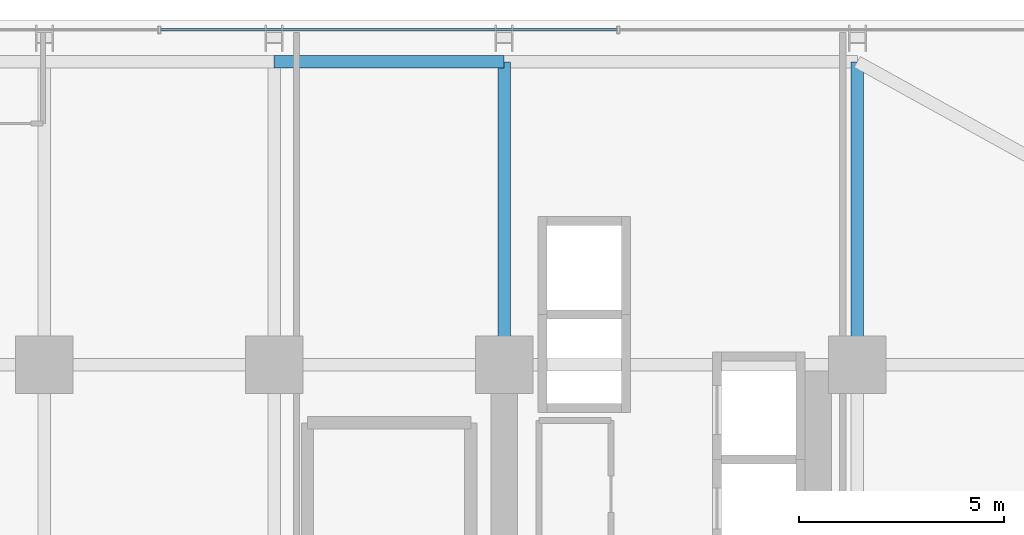
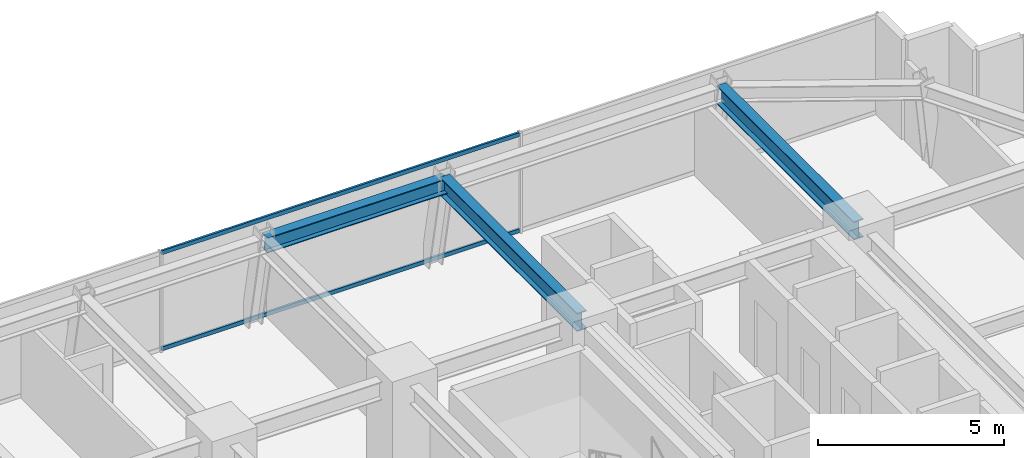
# One storey, part 25 of 35: 3 beams, 2 members, 1 element without a shape of its own.
"""IFC4 building model written with IfcOpenShell, lengths in metres."""

import ifcopenshell
import ifcopenshell.guid

model = None  # the IFC model being written
_history = None  # IfcOwnerHistory: only IFC2X3 demands one
_inside = {}  # id of a spatial element -> (the spatial element, [elements in it])
_under = {}  # id of a project, library or spatial element -> (it, [spatial elements below it])
_declared = {}  # id of a project -> (the project, [libraries it declares])
_typed = {}  # id of a type object -> (the type object, [elements of that type])
_made_of = {}  # id of a material, layer set ... -> (it, [elements and type objects made of it])


def new_model(schema):
    """Start an empty IFC model of exactly this schema.

    Asked for "IFC4X3", IfcOpenShell would pick the latest addendum, in which some entities
    have other attributes; the version numbers below select the first issue.
    IFC2X3 requires an IfcOwnerHistory on every rooted entity: one is made here for all.
    """
    global model, _history
    if schema == "IFC4X3":
        model = ifcopenshell.file(schema_version=(4, 3, 0, 0))
    else:
        model = ifcopenshell.file(schema=schema)
    _inside.clear()
    _under.clear()
    _declared.clear()
    _typed.clear()
    _made_of.clear()
    _history = None
    if model.schema == "IFC2X3":
        org = make("IfcOrganization", Name="unknown")
        user = make(
            "IfcPersonAndOrganization",
            ThePerson=make("IfcPerson", FamilyName="unknown"),
            TheOrganization=org,
        )
        app = make(
            "IfcApplication",
            ApplicationDeveloper=org,
            Version="unknown",
            ApplicationFullName="unknown",
            ApplicationIdentifier="unknown",
        )
        _history = make(
            "IfcOwnerHistory",
            OwningUser=user,
            OwningApplication=app,
            ChangeAction="ADDED",
            CreationDate=0,
        )
    return model


def make(cls, **values):
    """One entity of the class cls with the attributes given. An attribute that is None is left unset."""
    return model.create_entity(
        cls, **{name: value for name, value in values.items() if value is not None}
    )


def rooted(cls, **values):
    """An entity with a GlobalId (a new one), such as an element, a storey or a relation."""
    return make(cls, GlobalId=ifcopenshell.guid.new(), OwnerHistory=_history, **values)


def si_unit(unit_type, name, prefix=None):
    """IfcSIUnit, for example si_unit("LENGTHUNIT", "METRE", prefix="MILLI")."""
    return make("IfcSIUnit", UnitType=unit_type, Prefix=prefix, Name=name)


def assignment(units):
    """IfcUnitAssignment: the units of a project."""
    return None if units is None else make("IfcUnitAssignment", Units=units)


def point(xyz):
    """IfcCartesianPoint."""
    return None if xyz is None else make("IfcCartesianPoint", Coordinates=xyz)


def direction(xyz):
    """IfcDirection."""
    return None if xyz is None else make("IfcDirection", DirectionRatios=xyz)


def frame(location, z_axis=None, x_axis=None):
    """IfcAxis2Placement3D, a coordinate frame: its origin and axes. An axis left out is left unset."""
    return make(
        "IfcAxis2Placement3D",
        Location=point(location),
        Axis=direction(z_axis),
        RefDirection=direction(x_axis),
    )


def frame_2d(location, x_axis=None):
    """IfcAxis2Placement2D, a coordinate frame in the plane: its origin and x axis."""
    return make(
        "IfcAxis2Placement2D", Location=point(location), RefDirection=direction(x_axis)
    )


def origin():
    """The frame at (0, 0, 0) with its axes left unset."""
    return frame((0.0, 0.0, 0.0))


def origin_2d():
    """The frame at (0, 0) in the plane with its x axis left unset."""
    return frame_2d((0.0, 0.0))


def place(relative_to, where):
    """IfcLocalPlacement: puts the frame where relative to a parent placement (None: the world)."""
    return make(
        "IfcLocalPlacement", PlacementRelTo=relative_to, RelativePlacement=where
    )


def context(
    kind, dimensions, precision=None, world=None, true_north=None, identifier=None
):
    """IfcGeometricRepresentationContext, for example the 3D "Model" context."""
    return make(
        "IfcGeometricRepresentationContext",
        ContextIdentifier=identifier,
        ContextType=kind,
        CoordinateSpaceDimension=dimensions,
        Precision=precision,
        WorldCoordinateSystem=world,
        TrueNorth=true_north,
    )


def subcontext(parent, identifier, kind, view, scale=None):
    """IfcGeometricRepresentationSubContext, for example "Body" below "Model"."""
    return make(
        "IfcGeometricRepresentationSubContext",
        ContextIdentifier=identifier,
        ContextType=kind,
        ParentContext=parent,
        TargetScale=scale,
        TargetView=view,
    )


def project(units=None, contexts=None):
    """IfcProject with its units and contexts."""
    return rooted(
        "IfcProject",
        Name="project",
        RepresentationContexts=contexts,
        UnitsInContext=assignment(units),
    )


def spatial(cls, under=None, at=None, **own):
    """A site, building, storey or space (cls), placed at a placement, below another one or the project."""
    s = rooted(cls, ObjectPlacement=at, **own)
    if under is not None:
        _under.setdefault(under.id(), (under, []))[1].append(s)
    return s


def profile(cls, at=None, kind="AREA", **sizes):
    """A parametric profile (cls). Its sizes go by their IFC names, for example OverallWidth=200.0."""
    return make(cls, ProfileType=kind, Position=at, **sizes)


def hollow_rectangle(**sizes):
    """IfcRectangleHollowProfileDef."""
    return profile("IfcRectangleHollowProfileDef", **sizes)


def i_section(**sizes):
    """IfcIShapeProfileDef."""
    return profile("IfcIShapeProfileDef", **sizes)


def extrude(swept, where, along, depth):
    """IfcExtrudedAreaSolid: the profile swept, set in the frame where, extruded along a direction by depth."""
    return make(
        "IfcExtrudedAreaSolid",
        SweptArea=swept,
        Position=where,
        ExtrudedDirection=direction(along),
        Depth=depth,
    )


def shape(context_of_items, identifier, shape_type, items):
    """IfcShapeRepresentation: the items that make up one representation, for example the "Body"."""
    return make(
        "IfcShapeRepresentation",
        ContextOfItems=context_of_items,
        RepresentationIdentifier=identifier,
        RepresentationType=shape_type,
        Items=items,
    )


def source(mapping_origin, context_of_items, identifier, shape_type, items):
    """IfcRepresentationMap: a shape defined once, which mapped items show again and again."""
    return make(
        "IfcRepresentationMap",
        MappingOrigin=mapping_origin,
        MappedRepresentation=shape(context_of_items, identifier, shape_type, items),
    )


def transform(
    local_origin,
    x_axis=None,
    y_axis=None,
    z_axis=None,
    scale=None,
    scale2=None,
    scale3=None,
    uniform=True,
):
    """IfcCartesianTransformationOperator3D, or its non-uniform kind. x_axis, y_axis, z_axis: its Axis1, 2, 3."""
    if uniform:
        return make(
            "IfcCartesianTransformationOperator3D",
            Axis1=direction(x_axis),
            Axis2=direction(y_axis),
            LocalOrigin=point(local_origin),
            Scale=scale,
            Axis3=direction(z_axis),
        )
    return make(
        "IfcCartesianTransformationOperator3DnonUniform",
        Axis1=direction(x_axis),
        Axis2=direction(y_axis),
        LocalOrigin=point(local_origin),
        Scale=scale,
        Axis3=direction(z_axis),
        Scale2=scale2,
        Scale3=scale3,
    )


def mapped(mapping_source, mapping_target):
    """IfcMappedItem: shows the shape of a source again, moved by a transform."""
    return make(
        "IfcMappedItem", MappingSource=mapping_source, MappingTarget=mapping_target
    )


def material(Name=None, Category=None):
    """IfcMaterial."""
    return make("IfcMaterial", Name=Name, Category=Category)


def material_profile(
    of_material, cross_section, Name=None, Category=None, Priority=None
):
    """IfcMaterialProfile: a cross section and its material."""
    return make(
        "IfcMaterialProfile",
        Name=Name,
        Material=of_material,
        Profile=cross_section,
        Priority=Priority,
        Category=Category,
    )


def profile_set(profiles, Name=None, composite=None):
    """IfcMaterialProfileSet."""
    return make(
        "IfcMaterialProfileSet",
        Name=Name,
        MaterialProfiles=profiles,
        CompositeProfile=composite,
    )


def made_of(thing, what):
    """Note that an element or type object is made of a material, layer set ...; save() writes the relation."""
    if what is not None:
        _made_of.setdefault(what.id(), (what, []))[1].append(thing)
    return thing


def type_object(cls, material=None, **own):
    """A type object (cls), such as IfcWallType, which elements share."""
    return made_of(rooted(cls, **own), material)


def element(
    cls,
    number,
    at=None,
    inside=None,
    cuts=None,
    type_object=None,
    material=None,
    context=None,
    identifier="Body",
    shape_type=None,
    held_by="IfcProductDefinitionShape",
    body=None,
    shapes=None,
    **own,
):
    """One element of the class cls, such as IfcWall. Its Tag is "e" and its number.

    at: its placement. inside: the storey or other place that contains it. cuts: it is an
    opening in that element (IfcRelVoidsElement). A single representation is given by context,
    identifier, shape_type and body (its items); several are given by shapes. held_by: the class
    of the entity that holds the representations. save() writes the other relations.
    """
    e = rooted(cls, Tag="e%d" % number, ObjectPlacement=at, **own)
    if body is not None:
        shapes = [shape(context, identifier, shape_type, body)]
    if shapes is not None:
        e.Representation = make(held_by, Representations=shapes)
    if inside is not None:
        _inside.setdefault(inside.id(), (inside, []))[1].append(e)
    if cuts is not None:
        rooted(
            "IfcRelVoidsElement", RelatingBuildingElement=cuts, RelatedOpeningElement=e
        )
    if type_object is not None:
        _typed.setdefault(type_object.id(), (type_object, []))[1].append(e)
    return made_of(e, material)


def aggregate(whole, parts):
    """IfcRelAggregates: a whole, such as a stair, and the parts it consists of."""
    return rooted("IfcRelAggregates", RelatingObject=whole, RelatedObjects=parts)


def save(model, path):
    """Write the relations noted so far, then the file.

    IfcRelAggregates (storeys below a building ...), IfcRelContainedInSpatialStructure (elements
    in a storey), IfcRelDefinesByType, IfcRelAssociatesMaterial and IfcRelDeclares: one each for
    every whole, place, type object, material and project.
    """
    for whole, parts in _under.values():
        aggregate(whole, parts)
    for where, things in _inside.values():
        rooted(
            "IfcRelContainedInSpatialStructure",
            RelatedElements=things,
            RelatingStructure=where,
        )
    for kind, things in _typed.values():
        rooted("IfcRelDefinesByType", RelatedObjects=things, RelatingType=kind)
    for what, things in _made_of.values():
        rooted("IfcRelAssociatesMaterial", RelatedObjects=things, RelatingMaterial=what)
    for by, libraries in _declared.values():
        rooted("IfcRelDeclares", RelatingContext=by, RelatedDefinitions=libraries)
    model.write(path)


model = new_model("IFC4")

# Units and contexts
model_context = context("Model", 3, precision=1e-05, world=origin(), true_north=direction((0.0, 1.0)))
body_context = subcontext(model_context, "Body", "Model", "MODEL_VIEW")
ifc_project = project(units=[si_unit("LENGTHUNIT", "METRE"), si_unit("AREAUNIT", "SQUARE_METRE"), si_unit("VOLUMEUNIT", "CUBIC_METRE"), si_unit("PLANEANGLEUNIT", "RADIAN"), si_unit("MASSUNIT", "GRAM", prefix="KILO")], contexts=[model_context])

# Site, building, storey
site_placement = place(None, origin())
site = spatial("IfcSite", under=ifc_project, at=site_placement, CompositionType="ELEMENT")
building_placement = place(site_placement, origin())
building = spatial("IfcBuilding", under=site, at=building_placement, Name="Nahalor Promenade Grand Hotel", CompositionType="ELEMENT")
storey_placement = place(building_placement, frame((0.0, 0.0, 79.85009765625)))
storey = spatial("IfcBuildingStorey", under=building, at=storey_placement, Name="L19", CompositionType="ELEMENT", Elevation=79.85009765625)

# Beams
ifc_material_1 = material(Name="Steel S355JR", Category="steel")
ifc_material_profile_1 = material_profile(ifc_material_1, i_section(OverallWidth=0.3, OverallDepth=0.5, WebThickness=0.0145, FlangeThickness=0.028, at=origin_2d()), Name="HEB 500")
ifc_profile_set_1 = profile_set([ifc_material_profile_1], Name="Steel S355JR")
beam_type_1 = type_object("IfcBeamType", Name="Beam-Spandrel-HEB500", PredefinedType="SPANDREL", material=ifc_profile_set_1)
shared_shape_1 = source(origin(), body_context, "Body", "SweptSolid", [
    extrude(i_section(OverallWidth=0.3, OverallDepth=0.5, WebThickness=0.0145, FlangeThickness=0.028, at=origin_2d()), origin(), (0.0, 0.0, 1.0), 5.599853515625),
])
beam_placement = place(storey_placement, frame((2.800048828125, 24.3798828125, 3.039794921875), z_axis=(1.0, 0.0, 0.0), x_axis=(0.0, 1.0, 0.0)))
element("IfcBeam", 1, at=beam_placement, inside=storey, type_object=beam_type_1, Name="BM-L19-SP-N-3", PredefinedType="SPANDREL", context=body_context, shape_type="MappedRepresentation", body=[
    mapped(shared_shape_1, transform((0.0, 0.0, 0.0), scale=1.0)),
])
ifc_material_profile_2 = material_profile(ifc_material_1, i_section(OverallWidth=0.3, OverallDepth=0.6, WebThickness=0.0155, FlangeThickness=0.03, at=origin_2d()), Name="HEB 600")
ifc_profile_set_2 = profile_set([ifc_material_profile_2], Name="Steel S355JR")
beam_type_2 = type_object("IfcBeamType", Name="Beam-Girder-HEB600", PredefinedType="BEAM", material=ifc_profile_set_2)
shared_shape_2 = source(origin(), body_context, "Body", "SweptSolid", [
    extrude(i_section(OverallWidth=0.3, OverallDepth=0.6, WebThickness=0.0155, FlangeThickness=0.03, at=origin_2d()), origin(), (0.0, 0.0, 1.0), 7.3798828125),
])
for number, where, z_axis, x_axis, name in (
    (2, (8.39990234375, 17.0, 2.989990234375), (0.0, 1.0, 0.0), (-1.0, 0.0, 0.0), "BM-L19-GY-4-4"),
    (3, (17.0, 17.0, 2.989990234375), (0.0, 1.0, 0.0), (-1.0, 0.0, 0.0), "BM-L19-GY-5-4"),
):
    element("IfcBeam", number, at=place(storey_placement, frame(where, z_axis=z_axis, x_axis=x_axis)), inside=storey, type_object=beam_type_2, Name=name, PredefinedType="BEAM", context=body_context, shape_type="MappedRepresentation", body=[
        mapped(shared_shape_2, transform((0.0, 0.0, 0.0), scale=1.0)),
    ])

# Curtain wall, members
ifc_material_2 = material(Name="Anodised Bronze Aluminium EN AW-6063 T6", Category="aluminium")
curtain_wall_type = type_object("IfcCurtainWallType", Name="CW2 Typical Hotel Flush Bronze Unitised Curtain Wall", PredefinedType="USERDEFINED", material=ifc_material_2)
curtain_wall_placement = place(storey_placement, origin())
curtain_wall = element("IfcCurtainWall", 4, at=curtain_wall_placement, inside=storey, type_object=curtain_wall_type, Name="L19 Curtain Wall CW-L19-N-1", ObjectType="UNITISED_CURTAIN_WALL", PredefinedType="USERDEFINED")
ifc_material_profile_3 = material_profile(ifc_material_2, hollow_rectangle(XDim=0.065, YDim=0.13, WallThickness=0.004, at=origin_2d()), Name="CWT 65x130x4")
ifc_profile_set_3 = profile_set([ifc_material_profile_3], Name="Anodised Bronze Aluminium EN AW-6063 T6")
member_type = type_object("IfcMemberType", Name="CWT2 Typical Bronze Transom 65x130", PredefinedType="USERDEFINED", material=ifc_profile_set_3)
shared_shape_3 = source(origin(), body_context, "Body", "SweptSolid", [
    extrude(hollow_rectangle(XDim=0.065, YDim=0.13, WallThickness=0.004, at=origin_2d()), origin(), (0.0, 0.0, 1.0), 11.114990234375),
])
member_1_placement = place(storey_placement, frame((0.032470703125, 25.159912109375, 0.06494140625), z_axis=(1.0, 0.0, 0.0), x_axis=(0.0, 1.0, 0.0)))
member_1 = element("IfcMember", 5, at=member_1_placement, type_object=member_type, Name="CW-L19-N-1 Transom 2-0", ObjectType="TRANSOM", PredefinedType="USERDEFINED", context=body_context, shape_type="MappedRepresentation", body=[
    mapped(shared_shape_3, transform((0.0, 0.0, 0.0), scale=1.0)),
])
member_2_placement = place(storey_placement, frame((0.032470703125, 25.159912109375, 3.224853515625), z_axis=(1.0, 0.0, 0.0), x_axis=(0.0, 1.0, 0.0)))
member_2 = element("IfcMember", 6, at=member_2_placement, type_object=member_type, Name="CW-L19-N-1 Transom 2-1", ObjectType="TRANSOM", PredefinedType="USERDEFINED", context=body_context, shape_type="MappedRepresentation", body=[
    mapped(shared_shape_3, transform((0.0, 0.0, 0.0), scale=1.0)),
])
aggregate(curtain_wall, [member_1, member_2])

save(model, "model.ifc")
